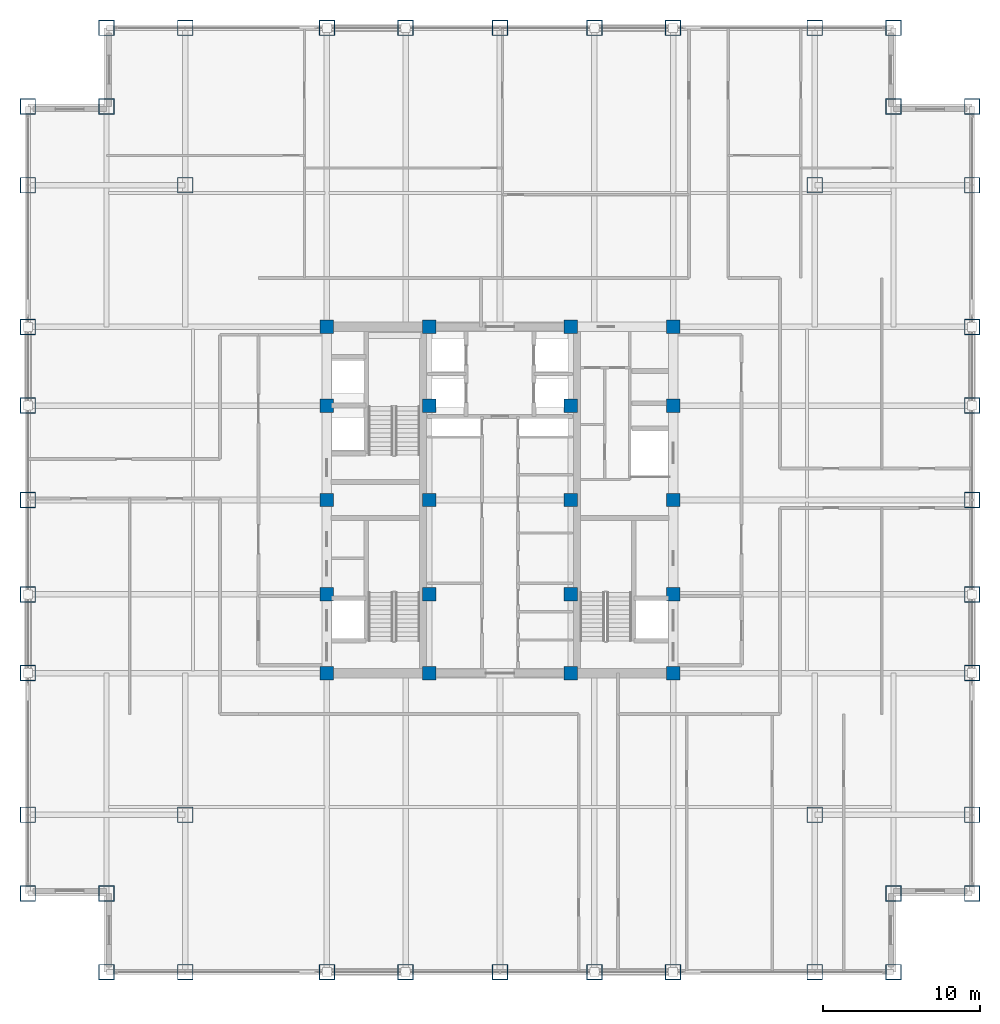
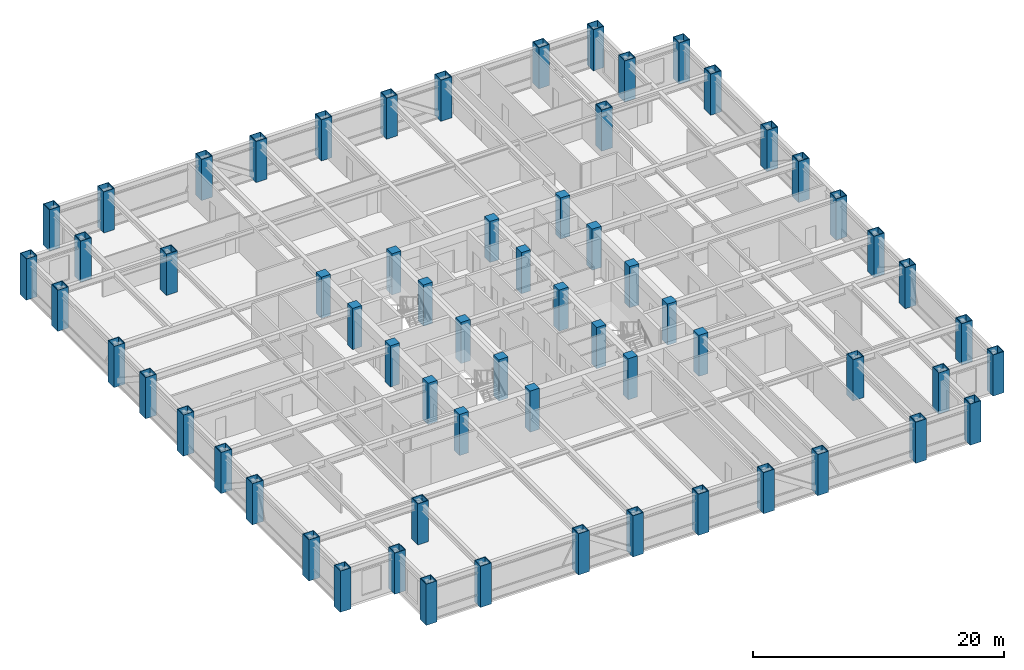
# One storey, part 1 of 25: 64 columns.
"""IFC4 building model written with IfcOpenShell, lengths in metres."""

from ifc_helpers import new_model, si_unit, direction, frame, origin, origin_2d, place, context, subcontext, project, spatial, rectangle, hollow_rectangle, extrude, source, transform, mapped, material, material_profile, profile_set, type_object, element, save


model = new_model("IFC4")

# Units and contexts
model_context = context("Model", 3, precision=1e-05, world=origin(), true_north=direction((0.0, 1.0)))
body_context = subcontext(model_context, "Body", "Model", "MODEL_VIEW")
ifc_project = project(units=[si_unit("LENGTHUNIT", "METRE"), si_unit("AREAUNIT", "SQUARE_METRE"), si_unit("VOLUMEUNIT", "CUBIC_METRE"), si_unit("PLANEANGLEUNIT", "RADIAN"), si_unit("MASSUNIT", "GRAM", prefix="KILO")], contexts=[model_context])

# Site, building, storey
site_placement = place(None, origin())
site = spatial("IfcSite", under=ifc_project, at=site_placement, CompositionType="ELEMENT")
building_placement = place(site_placement, origin())
building = spatial("IfcBuilding", under=site, at=building_placement, Name="Khorayat Bourse Tower", CompositionType="ELEMENT")
storey_placement = place(building_placement, frame((0.0, 0.0, 223.10009765625)))
storey = spatial("IfcBuildingStorey", under=building, at=storey_placement, Name="L52", CompositionType="ELEMENT", Elevation=223.10009765625)

# Columns
ifc_material_1 = material(Name="Concrete C60/75", Category="concrete")
ifc_material_profile_1 = material_profile(ifc_material_1, rectangle(XDim=0.85009765625, YDim=0.85009765625, at=origin_2d()), Name="RC 850x850")
ifc_profile_set_1 = profile_set([ifc_material_profile_1], Name="Concrete C60/75")
column_type_1 = type_object("IfcColumnType", Name="COL-CORE-850", PredefinedType="COLUMN", material=ifc_profile_set_1)
shared_shape_1 = source(origin(), body_context, "Body", "SweptSolid", [
    extrude(rectangle(XDim=0.85009765625, YDim=0.85009765625, at=origin_2d()), origin(), (0.0, 0.0, 1.0), 4.0),
])
for number, where, z_axis, x_axis, name in (
    (1, (-11.0, -11.0, 0.0), (0.0, 0.0, 1.0), (1.0, 0.0, 0.0), "L52 Column 019"),
    (2, (-11.0, -6.0, 0.0), (0.0, 0.0, 1.0), (1.0, 0.0, 0.0), "L52 Column 020"),
    (3, (-11.0, 0.0, 0.0), (0.0, 0.0, 1.0), (1.0, 0.0, 0.0), "L52 Column 021"),
    (4, (-11.0, 6.0, 0.0), (0.0, 0.0, 1.0), (1.0, 0.0, 0.0), "L52 Column 022"),
    (5, (-11.0, 11.0, 0.0), (0.0, 0.0, 1.0), (1.0, 0.0, 0.0), "L52 Column 023"),
    (6, (-4.5, -11.0, 0.0), (0.0, 0.0, 1.0), (1.0, 0.0, 0.0), "L52 Column 027"),
    (7, (-4.5, -6.0, 0.0), (0.0, 0.0, 1.0), (1.0, 0.0, 0.0), "L52 Column 028"),
    (8, (-4.5, 0.0, 0.0), (0.0, 0.0, 1.0), (1.0, 0.0, 0.0), "L52 Column 029"),
    (9, (-4.5, 6.0, 0.0), (0.0, 0.0, 1.0), (1.0, 0.0, 0.0), "L52 Column 030"),
    (10, (-4.5, 11.0, 0.0), (0.0, 0.0, 1.0), (1.0, 0.0, 0.0), "L52 Column 031"),
    (11, (4.5, -11.0, 0.0), (0.0, 0.0, 1.0), (1.0, 0.0, 0.0), "L52 Column 034"),
    (12, (4.5, -6.0, 0.0), (0.0, 0.0, 1.0), (1.0, 0.0, 0.0), "L52 Column 035"),
    (13, (4.5, 0.0, 0.0), (0.0, 0.0, 1.0), (1.0, 0.0, 0.0), "L52 Column 036"),
    (14, (4.5, 6.0, 0.0), (0.0, 0.0, 1.0), (1.0, 0.0, 0.0), "L52 Column 037"),
    (15, (4.5, 11.0, 0.0), (0.0, 0.0, 1.0), (1.0, 0.0, 0.0), "L52 Column 038"),
    (16, (11.0, -11.0, 0.0), (0.0, 0.0, 1.0), (1.0, 0.0, 0.0), "L52 Column 042"),
    (17, (11.0, -6.0, 0.0), (0.0, 0.0, 1.0), (1.0, 0.0, 0.0), "L52 Column 043"),
    (18, (11.0, 0.0, 0.0), (0.0, 0.0, 1.0), (1.0, 0.0, 0.0), "L52 Column 044"),
    (19, (11.0, 6.0, 0.0), (0.0, 0.0, 1.0), (1.0, 0.0, 0.0), "L52 Column 045"),
    (20, (11.0, 11.0, 0.0), (0.0, 0.0, 1.0), (1.0, 0.0, 0.0), "L52 Column 046"),
):
    element("IfcColumn", number, at=place(storey_placement, frame(where, z_axis=z_axis, x_axis=x_axis)), inside=storey, type_object=column_type_1, Name=name, PredefinedType="COLUMN", context=body_context, shape_type="MappedRepresentation", body=[
        mapped(shared_shape_1, transform((0.0, 0.0, 0.0), scale=1.0)),
    ])
ifc_material_2 = material(Name="Steel EN 10025-4 S460M", Category="steel")
ifc_material_profile_2 = material_profile(ifc_material_2, hollow_rectangle(XDim=1.0, YDim=1.0, WallThickness=0.054931640625, at=origin_2d()), Name="BOX 1000x1000x55")
ifc_profile_set_2 = profile_set([ifc_material_profile_2], Name="Steel EN 10025-4 S460M")
column_type_2 = type_object("IfcColumnType", Name="COL-TUBE-1000", PredefinedType="COLUMN", material=ifc_profile_set_2)
shared_shape_2 = source(origin(), body_context, "Body", "SweptSolid", [
    extrude(hollow_rectangle(XDim=1.0, YDim=1.0, WallThickness=0.054931640625, at=origin_2d()), origin(), (0.0, 0.0, 1.0), 4.0),
])
for number, where, z_axis, x_axis, name in (
    (21, (-30.0, -25.0, 0.0), (0.0, 0.0, 1.0), (1.0, 0.0, 0.0), "L52 Column 001"),
    (22, (-30.0, -20.0, 0.0), (0.0, 0.0, 1.0), (1.0, 0.0, 0.0), "L52 Column 002"),
    (23, (-30.0, -11.0, 0.0), (0.0, 0.0, 1.0), (1.0, 0.0, 0.0), "L52 Column 003"),
    (24, (-30.0, -6.0, 0.0), (0.0, 0.0, 1.0), (1.0, 0.0, 0.0), "L52 Column 004"),
    (25, (-30.0, 0.0, 0.0), (0.0, 0.0, 1.0), (1.0, 0.0, 0.0), "L52 Column 005"),
    (26, (-30.0, 6.0, 0.0), (0.0, 0.0, 1.0), (1.0, 0.0, 0.0), "L52 Column 006"),
    (27, (-30.0, 11.0, 0.0), (0.0, 0.0, 1.0), (1.0, 0.0, 0.0), "L52 Column 007"),
    (28, (-30.0, 20.0, 0.0), (0.0, 0.0, 1.0), (1.0, 0.0, 0.0), "L52 Column 008"),
    (29, (-30.0, 25.0, 0.0), (0.0, 0.0, 1.0), (1.0, 0.0, 0.0), "L52 Column 009"),
    (30, (-25.0, -30.0, 0.0), (0.0, 0.0, 1.0), (1.0, 0.0, 0.0), "L52 Column 010"),
    (31, (-25.0, -25.0, 0.0), (0.0, 0.0, 1.0), (1.0, 0.0, 0.0), "L52 Column 011"),
    (32, (-25.0, 25.0, 0.0), (0.0, 0.0, 1.0), (1.0, 0.0, 0.0), "L52 Column 012"),
    (33, (-25.0, 30.0, 0.0), (0.0, 0.0, 1.0), (1.0, 0.0, 0.0), "L52 Column 013"),
    (34, (-20.0, -30.0, 0.0), (0.0, 0.0, 1.0), (1.0, 0.0, 0.0), "L52 Column 014"),
    (35, (-20.0, -20.0, 0.0), (0.0, 0.0, 1.0), (1.0, 0.0, 0.0), "L52 Column 015"),
    (36, (-20.0, 20.0, 0.0), (0.0, 0.0, 1.0), (1.0, 0.0, 0.0), "L52 Column 016"),
    (37, (-20.0, 30.0, 0.0), (0.0, 0.0, 1.0), (1.0, 0.0, 0.0), "L52 Column 017"),
    (38, (-11.0, -30.0, 0.0), (0.0, 0.0, 1.0), (1.0, 0.0, 0.0), "L52 Column 018"),
    (39, (-11.0, 30.0, 0.0), (0.0, 0.0, 1.0), (1.0, 0.0, 0.0), "L52 Column 024"),
    (40, (-6.0, -30.0, 0.0), (0.0, 0.0, 1.0), (1.0, 0.0, 0.0), "L52 Column 025"),
    (41, (-6.0, 30.0, 0.0), (0.0, 0.0, 1.0), (1.0, 0.0, 0.0), "L52 Column 026"),
    (42, (0.0, -30.0, 0.0), (0.0, 0.0, 1.0), (1.0, 0.0, 0.0), "L52 Column 032"),
    (43, (0.0, 30.0, 0.0), (0.0, 0.0, 1.0), (1.0, 0.0, 0.0), "L52 Column 033"),
    (44, (6.0, -30.0, 0.0), (0.0, 0.0, 1.0), (1.0, 0.0, 0.0), "L52 Column 039"),
    (45, (6.0, 30.0, 0.0), (0.0, 0.0, 1.0), (1.0, 0.0, 0.0), "L52 Column 040"),
    (46, (11.0, -30.0, 0.0), (0.0, 0.0, 1.0), (1.0, 0.0, 0.0), "L52 Column 041"),
    (47, (11.0, 30.0, 0.0), (0.0, 0.0, 1.0), (1.0, 0.0, 0.0), "L52 Column 047"),
    (48, (20.0, -30.0, 0.0), (0.0, 0.0, 1.0), (1.0, 0.0, 0.0), "L52 Column 048"),
    (49, (20.0, -20.0, 0.0), (0.0, 0.0, 1.0), (1.0, 0.0, 0.0), "L52 Column 049"),
    (50, (20.0, 20.0, 0.0), (0.0, 0.0, 1.0), (1.0, 0.0, 0.0), "L52 Column 050"),
    (51, (20.0, 30.0, 0.0), (0.0, 0.0, 1.0), (1.0, 0.0, 0.0), "L52 Column 051"),
    (52, (25.0, -30.0, 0.0), (0.0, 0.0, 1.0), (1.0, 0.0, 0.0), "L52 Column 052"),
    (53, (25.0, -25.0, 0.0), (0.0, 0.0, 1.0), (1.0, 0.0, 0.0), "L52 Column 053"),
    (54, (25.0, 25.0, 0.0), (0.0, 0.0, 1.0), (1.0, 0.0, 0.0), "L52 Column 054"),
    (55, (25.0, 30.0, 0.0), (0.0, 0.0, 1.0), (1.0, 0.0, 0.0), "L52 Column 055"),
    (56, (30.0, -25.0, 0.0), (0.0, 0.0, 1.0), (1.0, 0.0, 0.0), "L52 Column 056"),
    (57, (30.0, -20.0, 0.0), (0.0, 0.0, 1.0), (1.0, 0.0, 0.0), "L52 Column 057"),
    (58, (30.0, -11.0, 0.0), (0.0, 0.0, 1.0), (1.0, 0.0, 0.0), "L52 Column 058"),
    (59, (30.0, -6.0, 0.0), (0.0, 0.0, 1.0), (1.0, 0.0, 0.0), "L52 Column 059"),
    (60, (30.0, 0.0, 0.0), (0.0, 0.0, 1.0), (1.0, 0.0, 0.0), "L52 Column 060"),
    (61, (30.0, 6.0, 0.0), (0.0, 0.0, 1.0), (1.0, 0.0, 0.0), "L52 Column 061"),
    (62, (30.0, 11.0, 0.0), (0.0, 0.0, 1.0), (1.0, 0.0, 0.0), "L52 Column 062"),
    (63, (30.0, 20.0, 0.0), (0.0, 0.0, 1.0), (1.0, 0.0, 0.0), "L52 Column 063"),
    (64, (30.0, 25.0, 0.0), (0.0, 0.0, 1.0), (1.0, 0.0, 0.0), "L52 Column 064"),
):
    element("IfcColumn", number, at=place(storey_placement, frame(where, z_axis=z_axis, x_axis=x_axis)), inside=storey, type_object=column_type_2, Name=name, PredefinedType="COLUMN", context=body_context, shape_type="MappedRepresentation", body=[
        mapped(shared_shape_2, transform((0.0, 0.0, 0.0), scale=1.0)),
    ])

save(model, "model.ifc")
